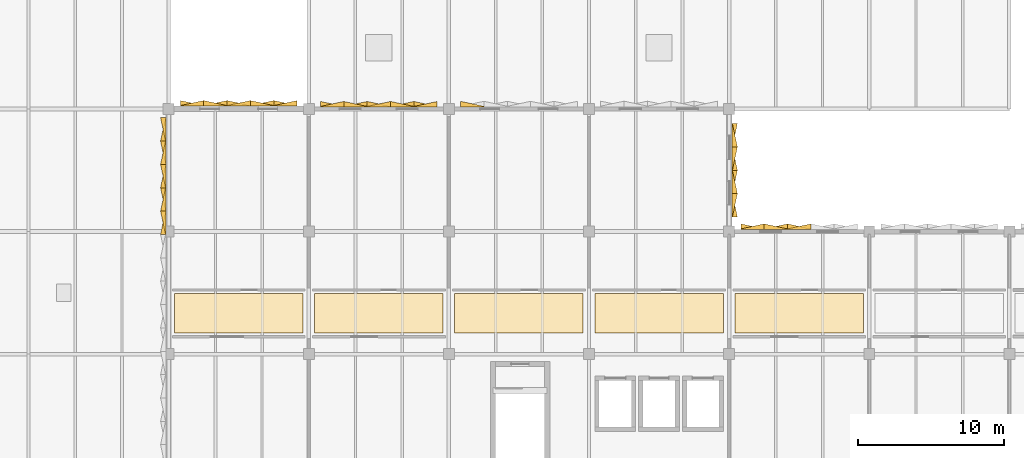
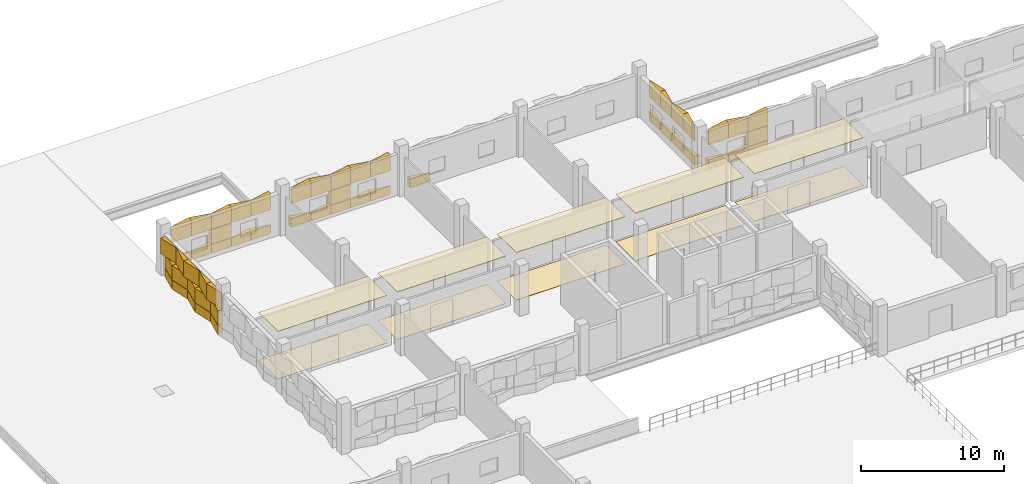
# One storey, part 74 of 86: 63 coverings.
"""IFC4 building model written with IfcOpenShell, lengths in metres."""

from ifc_helpers import new_model, si_unit, direction, frame, origin, place, context, subcontext, project, spatial, polyline, outline, extrude, material, layer, layer_set, type_object, element, save


model = new_model("IFC4")

# Units and contexts
model_context = context("Model", 3, precision=1e-05, world=origin(), true_north=direction((0.0, 1.0)))
body_context = subcontext(model_context, "Body", "Model", "MODEL_VIEW")
ifc_project = project(units=[si_unit("LENGTHUNIT", "METRE"), si_unit("AREAUNIT", "SQUARE_METRE"), si_unit("VOLUMEUNIT", "CUBIC_METRE"), si_unit("PLANEANGLEUNIT", "RADIAN"), si_unit("MASSUNIT", "GRAM", prefix="KILO")], contexts=[model_context])

# Site, building, storey
site_placement = place(None, origin())
site = spatial("IfcSite", under=ifc_project, at=site_placement, CompositionType="ELEMENT")
building_placement = place(site_placement, origin())
building = spatial("IfcBuilding", under=site, at=building_placement, Name="Oolite Switchyard Hospital", CompositionType="ELEMENT")
storey_placement = place(building_placement, frame((0.0, 0.0, 13.5)))
storey = spatial("IfcBuildingStorey", under=building, at=storey_placement, Name="L03", CompositionType="ELEMENT", Elevation=13.5)

# Coverings
ifc_material_1 = material(Name="Hygienic washable mineral-fibre acoustic ceiling")
ifc_layer_1 = layer(ifc_material_1, 0.0400390625)
ifc_layer_set_1 = layer_set([ifc_layer_1], Name="COV-CEIL-AC60")
covering_type_1 = type_object("IfcCoveringType", Name="COV-CEIL-AC60", PredefinedType="CEILING", material=ifc_layer_set_1)
covering_1_placement = place(storey_placement, frame((0.0, 0.0, 4.0400390625)))
element("IfcCovering", 1, at=covering_1_placement, inside=storey, type_object=covering_type_1, Name="L03 Rehabilitation and Penthouse Corridor L03 Ceiling 1", PredefinedType="CEILING", context=body_context, shape_type="SweptSolid", body=[
    extrude(outline(polyline([(19.60009765625, 102.25), (28.39990234375, 102.25), (28.39990234375, 104.949951171875), (19.60009765625, 104.949951171875), (19.60009765625, 102.25)])), origin(), (0.0, 0.0, 1.0), 0.0400390625),
])
covering_2_placement = place(storey_placement, frame((0.0, 0.0, 4.0400390625)))
element("IfcCovering", 2, at=covering_2_placement, inside=storey, type_object=covering_type_1, Name="L03 Rehabilitation and Penthouse Corridor L03 Ceiling 2", PredefinedType="CEILING", context=body_context, shape_type="SweptSolid", body=[
    extrude(outline(polyline([(29.199951171875, 102.25), (38.0, 102.25), (38.0, 104.949951171875), (29.199951171875, 104.949951171875), (29.199951171875, 102.25)])), origin(), (0.0, 0.0, 1.0), 0.0400390625),
])
covering_3_placement = place(storey_placement, frame((0.0, 0.0, 4.0400390625)))
element("IfcCovering", 3, at=covering_3_placement, inside=storey, type_object=covering_type_1, Name="L03 Rehabilitation and Penthouse Corridor L03 Ceiling 3", PredefinedType="CEILING", context=body_context, shape_type="SweptSolid", body=[
    extrude(outline(polyline([(38.800048828125, 102.25), (47.60009765625, 102.25), (47.60009765625, 104.949951171875), (38.800048828125, 104.949951171875), (38.800048828125, 102.25)])), origin(), (0.0, 0.0, 1.0), 0.0400390625),
])
covering_4_placement = place(storey_placement, frame((0.0, 0.0, 4.0400390625)))
element("IfcCovering", 4, at=covering_4_placement, inside=storey, type_object=covering_type_1, Name="L03 Rehabilitation and Penthouse Corridor L03 Ceiling 4", PredefinedType="CEILING", context=body_context, shape_type="SweptSolid", body=[
    extrude(outline(polyline([(48.39990234375, 102.25), (57.199951171875, 102.25), (57.199951171875, 104.949951171875), (48.39990234375, 104.949951171875), (48.39990234375, 102.25)])), origin(), (0.0, 0.0, 1.0), 0.0400390625),
])
covering_5_placement = place(storey_placement, frame((0.0, 0.0, 4.0400390625)))
element("IfcCovering", 5, at=covering_5_placement, inside=storey, type_object=covering_type_1, Name="L03 Rehabilitation and Penthouse Corridor L03 Ceiling 5", PredefinedType="CEILING", context=body_context, shape_type="SweptSolid", body=[
    extrude(outline(polyline([(58.0, 102.25), (66.800048828125, 102.25), (66.800048828125, 104.949951171875), (58.0, 104.949951171875), (58.0, 102.25)])), origin(), (0.0, 0.0, 1.0), 0.0400390625),
])
ifc_material_2 = material(Name="Precast oolitic limestone architectural concrete C40/50", Category="masonry")
covering_type_2 = type_object("IfcCoveringType", Name="COV-CHEV-WARM", PredefinedType="CLADDING", material=ifc_material_2)
covering_6_placement = place(storey_placement, frame((58.39990234375, 109.340087890625, 0.050048828125), z_axis=(0.0, 0.0, 1.0), x_axis=(1.0, 0.0, 0.0)))
element("IfcCovering", 6, at=covering_6_placement, inside=storey, type_object=covering_type_2, Name="L03 Chevron Precast Oolite Panel 188", PredefinedType="CLADDING", context=body_context, shape_type="SweptSolid", body=[
    extrude(outline(polyline([(0.0, 0.0), (1.60009765625, 0.0), (1.60009765625, 0.044921875), (0.0, 0.385009765625), (0.0, 0.0)])), origin(), (0.0, 0.0, 1.0), 0.760009765625),
])
covering_7_placement = place(storey_placement, frame((58.39990234375, 109.340087890625, 2.090087890625), z_axis=(0.0, 0.0, 1.0), x_axis=(1.0, 0.0, 0.0)))
element("IfcCovering", 7, at=covering_7_placement, inside=storey, type_object=covering_type_2, Name="L03 Chevron Precast Oolite Panel 189", PredefinedType="CLADDING", context=body_context, shape_type="SweptSolid", body=[
    extrude(outline(polyline([(0.0, 0.0), (1.60009765625, 0.0), (1.60009765625, 0.385009765625), (0.0, 0.044921875), (0.0, 0.0)])), origin(), (0.0, 0.0, 1.0), 1.349853515625),
])
covering_8_placement = place(storey_placement, frame((60.0, 109.340087890625, 0.050048828125), z_axis=(0.0, 0.0, 1.0), x_axis=(1.0, 0.0, 0.0)))
element("IfcCovering", 8, at=covering_8_placement, inside=storey, type_object=covering_type_2, Name="L03 Chevron Precast Oolite Panel 190", PredefinedType="CLADDING", context=body_context, shape_type="SweptSolid", body=[
    extrude(outline(polyline([(0.0, 0.0), (1.60009765625, 0.0), (1.60009765625, 0.385009765625), (0.0, 0.044921875), (0.0, 0.0)])), origin(), (0.0, 0.0, 1.0), 0.760009765625),
])
covering_9_placement = place(storey_placement, frame((60.0, 109.340087890625, 2.090087890625), z_axis=(0.0, 0.0, 1.0), x_axis=(1.0, 0.0, 0.0)))
element("IfcCovering", 9, at=covering_9_placement, inside=storey, type_object=covering_type_2, Name="L03 Chevron Precast Oolite Panel 191", PredefinedType="CLADDING", context=body_context, shape_type="SweptSolid", body=[
    extrude(outline(polyline([(0.0, 0.0), (1.60009765625, 0.0), (1.60009765625, 0.044921875), (0.0, 0.385009765625), (0.0, 0.0)])), origin(), (0.0, 0.0, 1.0), 1.349853515625),
])
covering_10_placement = place(storey_placement, frame((61.60009765625, 109.340087890625, 0.050048828125), z_axis=(0.0, 0.0, 1.0), x_axis=(1.0, 0.0, 0.0)))
element("IfcCovering", 10, at=covering_10_placement, inside=storey, type_object=covering_type_2, Name="L03 Chevron Precast Oolite Panel 192", PredefinedType="CLADDING", context=body_context, shape_type="SweptSolid", body=[
    extrude(outline(polyline([(0.0, 0.0), (1.599853515625, 0.0), (1.599853515625, 0.044921875), (0.0, 0.385009765625), (0.0, 0.0)])), origin(), (0.0, 0.0, 1.0), 0.760009765625),
])
covering_11_placement = place(storey_placement, frame((61.60009765625, 109.340087890625, 2.090087890625), z_axis=(0.0, 0.0, 1.0), x_axis=(1.0, 0.0, 0.0)))
element("IfcCovering", 11, at=covering_11_placement, inside=storey, type_object=covering_type_2, Name="L03 Chevron Precast Oolite Panel 193", PredefinedType="CLADDING", context=body_context, shape_type="SweptSolid", body=[
    extrude(outline(polyline([(0.0, 0.0), (1.599853515625, 0.0), (1.599853515625, 0.385009765625), (0.0, 0.044921875), (0.0, 0.0)])), origin(), (0.0, 0.0, 1.0), 1.349853515625),
])
covering_12_placement = place(storey_placement, frame((61.60009765625, 109.340087890625, 0.830078125), z_axis=(0.0, 0.0, 1.0), x_axis=(1.0, 0.0, 0.0)))
element("IfcCovering", 12, at=covering_12_placement, inside=storey, type_object=covering_type_2, Name="L03 Chevron Precast Oolite Panel 194", PredefinedType="CLADDING", context=body_context, shape_type="SweptSolid", body=[
    extrude(outline(polyline([(0.0, 0.0), (1.599853515625, 0.0), (1.599853515625, 0.044921875), (0.0, 0.385009765625), (0.0, 0.0)])), origin(), (0.0, 0.0, 1.0), 1.239990234375),
])
covering_13_placement = place(storey_placement, frame((20.0, 117.7900390625, 0.050048828125), z_axis=(0.0, 0.0, 1.0), x_axis=(1.0, 0.0, 0.0)))
element("IfcCovering", 13, at=covering_13_placement, inside=storey, type_object=covering_type_2, Name="L03 Chevron Precast Oolite Panel 243", PredefinedType="CLADDING", context=body_context, shape_type="SweptSolid", body=[
    extrude(outline(polyline([(0.0, 0.0), (1.60009765625, 0.0), (1.60009765625, 0.044921875), (0.0, 0.385009765625), (0.0, 0.0)])), origin(), (0.0, 0.0, 1.0), 0.760009765625),
])
covering_14_placement = place(storey_placement, frame((20.0, 117.7900390625, 2.090087890625), z_axis=(0.0, 0.0, 1.0), x_axis=(1.0, 0.0, 0.0)))
element("IfcCovering", 14, at=covering_14_placement, inside=storey, type_object=covering_type_2, Name="L03 Chevron Precast Oolite Panel 244", PredefinedType="CLADDING", context=body_context, shape_type="SweptSolid", body=[
    extrude(outline(polyline([(0.0, 0.0), (1.60009765625, 0.0), (1.60009765625, 0.385009765625), (0.0, 0.044921875), (0.0, 0.0)])), origin(), (0.0, 0.0, 1.0), 1.349853515625),
])
covering_15_placement = place(storey_placement, frame((21.60009765625, 117.7900390625, 0.050048828125), z_axis=(0.0, 0.0, 1.0), x_axis=(1.0, 0.0, 0.0)))
element("IfcCovering", 15, at=covering_15_placement, inside=storey, type_object=covering_type_2, Name="L03 Chevron Precast Oolite Panel 245", PredefinedType="CLADDING", context=body_context, shape_type="SweptSolid", body=[
    extrude(outline(polyline([(0.0, 0.0), (1.599853515625, 0.0), (1.599853515625, 0.385009765625), (0.0, 0.044921875), (0.0, 0.0)])), origin(), (0.0, 0.0, 1.0), 0.760009765625),
])
covering_16_placement = place(storey_placement, frame((21.60009765625, 117.7900390625, 2.090087890625), z_axis=(0.0, 0.0, 1.0), x_axis=(1.0, 0.0, 0.0)))
element("IfcCovering", 16, at=covering_16_placement, inside=storey, type_object=covering_type_2, Name="L03 Chevron Precast Oolite Panel 246", PredefinedType="CLADDING", context=body_context, shape_type="SweptSolid", body=[
    extrude(outline(polyline([(0.0, 0.0), (1.599853515625, 0.0), (1.599853515625, 0.044921875), (0.0, 0.385009765625), (0.0, 0.0)])), origin(), (0.0, 0.0, 1.0), 1.349853515625),
])
covering_17_placement = place(storey_placement, frame((23.199951171875, 117.7900390625, 0.050048828125), z_axis=(0.0, 0.0, 1.0), x_axis=(1.0, 0.0, 0.0)))
element("IfcCovering", 17, at=covering_17_placement, inside=storey, type_object=covering_type_2, Name="L03 Chevron Precast Oolite Panel 247", PredefinedType="CLADDING", context=body_context, shape_type="SweptSolid", body=[
    extrude(outline(polyline([(0.0, 0.0), (1.60009765625, 0.0), (1.60009765625, 0.044921875), (0.0, 0.385009765625), (0.0, 0.0)])), origin(), (0.0, 0.0, 1.0), 0.760009765625),
])
covering_18_placement = place(storey_placement, frame((23.199951171875, 117.7900390625, 2.090087890625), z_axis=(0.0, 0.0, 1.0), x_axis=(1.0, 0.0, 0.0)))
element("IfcCovering", 18, at=covering_18_placement, inside=storey, type_object=covering_type_2, Name="L03 Chevron Precast Oolite Panel 248", PredefinedType="CLADDING", context=body_context, shape_type="SweptSolid", body=[
    extrude(outline(polyline([(0.0, 0.0), (1.60009765625, 0.0), (1.60009765625, 0.385009765625), (0.0, 0.044921875), (0.0, 0.0)])), origin(), (0.0, 0.0, 1.0), 1.349853515625),
])
covering_19_placement = place(storey_placement, frame((23.199951171875, 117.7900390625, 0.830078125), z_axis=(0.0, 0.0, 1.0), x_axis=(1.0, 0.0, 0.0)))
element("IfcCovering", 19, at=covering_19_placement, inside=storey, type_object=covering_type_2, Name="L03 Chevron Precast Oolite Panel 249", PredefinedType="CLADDING", context=body_context, shape_type="SweptSolid", body=[
    extrude(outline(polyline([(0.0, 0.0), (1.60009765625, 0.0), (1.60009765625, 0.044921875), (0.0, 0.385009765625), (0.0, 0.0)])), origin(), (0.0, 0.0, 1.0), 1.239990234375),
])
covering_20_placement = place(storey_placement, frame((24.800048828125, 117.7900390625, 0.050048828125), z_axis=(0.0, 0.0, 1.0), x_axis=(1.0, 0.0, 0.0)))
element("IfcCovering", 20, at=covering_20_placement, inside=storey, type_object=covering_type_2, Name="L03 Chevron Precast Oolite Panel 250", PredefinedType="CLADDING", context=body_context, shape_type="SweptSolid", body=[
    extrude(outline(polyline([(0.0, 0.0), (1.599853515625, 0.0), (1.599853515625, 0.385009765625), (0.0, 0.044921875), (0.0, 0.0)])), origin(), (0.0, 0.0, 1.0), 0.760009765625),
])
covering_21_placement = place(storey_placement, frame((24.800048828125, 117.7900390625, 2.090087890625), z_axis=(0.0, 0.0, 1.0), x_axis=(1.0, 0.0, 0.0)))
element("IfcCovering", 21, at=covering_21_placement, inside=storey, type_object=covering_type_2, Name="L03 Chevron Precast Oolite Panel 251", PredefinedType="CLADDING", context=body_context, shape_type="SweptSolid", body=[
    extrude(outline(polyline([(0.0, 0.0), (1.599853515625, 0.0), (1.599853515625, 0.044921875), (0.0, 0.385009765625), (0.0, 0.0)])), origin(), (0.0, 0.0, 1.0), 1.349853515625),
])
covering_22_placement = place(storey_placement, frame((26.39990234375, 117.7900390625, 0.050048828125), z_axis=(0.0, 0.0, 1.0), x_axis=(1.0, 0.0, 0.0)))
element("IfcCovering", 22, at=covering_22_placement, inside=storey, type_object=covering_type_2, Name="L03 Chevron Precast Oolite Panel 252", PredefinedType="CLADDING", context=body_context, shape_type="SweptSolid", body=[
    extrude(outline(polyline([(0.0, 0.0), (1.60009765625, 0.0), (1.60009765625, 0.044921875), (0.0, 0.385009765625), (0.0, 0.0)])), origin(), (0.0, 0.0, 1.0), 0.760009765625),
])
covering_23_placement = place(storey_placement, frame((26.39990234375, 117.7900390625, 2.090087890625), z_axis=(0.0, 0.0, 1.0), x_axis=(1.0, 0.0, 0.0)))
element("IfcCovering", 23, at=covering_23_placement, inside=storey, type_object=covering_type_2, Name="L03 Chevron Precast Oolite Panel 253", PredefinedType="CLADDING", context=body_context, shape_type="SweptSolid", body=[
    extrude(outline(polyline([(0.0, 0.0), (1.60009765625, 0.0), (1.60009765625, 0.385009765625), (0.0, 0.044921875), (0.0, 0.0)])), origin(), (0.0, 0.0, 1.0), 1.349853515625),
])
covering_24_placement = place(storey_placement, frame((29.60009765625, 117.72998046875, 0.050048828125), z_axis=(0.0, 0.0, 1.0), x_axis=(1.0, 0.0, 0.0)))
element("IfcCovering", 24, at=covering_24_placement, inside=storey, type_object=covering_type_2, Name="L03 Chevron Precast Oolite Panel 254", PredefinedType="CLADDING", context=body_context, shape_type="SweptSolid", body=[
    extrude(outline(polyline([(0.0, 0.0), (1.599853515625, 0.0), (1.599853515625, 0.044921875), (0.0, 0.385009765625), (0.0, 0.0)])), origin(), (0.0, 0.0, 1.0), 0.760009765625),
])
covering_25_placement = place(storey_placement, frame((29.60009765625, 117.72998046875, 2.090087890625), z_axis=(0.0, 0.0, 1.0), x_axis=(1.0, 0.0, 0.0)))
element("IfcCovering", 25, at=covering_25_placement, inside=storey, type_object=covering_type_2, Name="L03 Chevron Precast Oolite Panel 255", PredefinedType="CLADDING", context=body_context, shape_type="SweptSolid", body=[
    extrude(outline(polyline([(0.0, 0.0), (1.599853515625, 0.0), (1.599853515625, 0.385009765625), (0.0, 0.044921875), (0.0, 0.0)])), origin(), (0.0, 0.0, 1.0), 1.349853515625),
])
covering_26_placement = place(storey_placement, frame((31.199951171875, 117.72998046875, 0.050048828125), z_axis=(0.0, 0.0, 1.0), x_axis=(1.0, 0.0, 0.0)))
element("IfcCovering", 26, at=covering_26_placement, inside=storey, type_object=covering_type_2, Name="L03 Chevron Precast Oolite Panel 256", PredefinedType="CLADDING", context=body_context, shape_type="SweptSolid", body=[
    extrude(outline(polyline([(0.0, 0.0), (1.60009765625, 0.0), (1.60009765625, 0.385009765625), (0.0, 0.044921875), (0.0, 0.0)])), origin(), (0.0, 0.0, 1.0), 0.760009765625),
])
covering_27_placement = place(storey_placement, frame((31.199951171875, 117.72998046875, 2.090087890625), z_axis=(0.0, 0.0, 1.0), x_axis=(1.0, 0.0, 0.0)))
element("IfcCovering", 27, at=covering_27_placement, inside=storey, type_object=covering_type_2, Name="L03 Chevron Precast Oolite Panel 257", PredefinedType="CLADDING", context=body_context, shape_type="SweptSolid", body=[
    extrude(outline(polyline([(0.0, 0.0), (1.60009765625, 0.0), (1.60009765625, 0.044921875), (0.0, 0.385009765625), (0.0, 0.0)])), origin(), (0.0, 0.0, 1.0), 1.349853515625),
])
covering_28_placement = place(storey_placement, frame((32.800048828125, 117.72998046875, 0.050048828125), z_axis=(0.0, 0.0, 1.0), x_axis=(1.0, 0.0, 0.0)))
element("IfcCovering", 28, at=covering_28_placement, inside=storey, type_object=covering_type_2, Name="L03 Chevron Precast Oolite Panel 258", PredefinedType="CLADDING", context=body_context, shape_type="SweptSolid", body=[
    extrude(outline(polyline([(0.0, 0.0), (1.599853515625, 0.0), (1.599853515625, 0.044921875), (0.0, 0.385009765625), (0.0, 0.0)])), origin(), (0.0, 0.0, 1.0), 0.760009765625),
])
covering_29_placement = place(storey_placement, frame((32.800048828125, 117.72998046875, 2.090087890625), z_axis=(0.0, 0.0, 1.0), x_axis=(1.0, 0.0, 0.0)))
element("IfcCovering", 29, at=covering_29_placement, inside=storey, type_object=covering_type_2, Name="L03 Chevron Precast Oolite Panel 259", PredefinedType="CLADDING", context=body_context, shape_type="SweptSolid", body=[
    extrude(outline(polyline([(0.0, 0.0), (1.599853515625, 0.0), (1.599853515625, 0.385009765625), (0.0, 0.044921875), (0.0, 0.0)])), origin(), (0.0, 0.0, 1.0), 1.349853515625),
])
covering_30_placement = place(storey_placement, frame((32.800048828125, 117.72998046875, 0.830078125), z_axis=(0.0, 0.0, 1.0), x_axis=(1.0, 0.0, 0.0)))
element("IfcCovering", 30, at=covering_30_placement, inside=storey, type_object=covering_type_2, Name="L03 Chevron Precast Oolite Panel 260", PredefinedType="CLADDING", context=body_context, shape_type="SweptSolid", body=[
    extrude(outline(polyline([(0.0, 0.0), (1.599853515625, 0.0), (1.599853515625, 0.044921875), (0.0, 0.385009765625), (0.0, 0.0)])), origin(), (0.0, 0.0, 1.0), 1.239990234375),
])
covering_31_placement = place(storey_placement, frame((34.39990234375, 117.72998046875, 0.050048828125), z_axis=(0.0, 0.0, 1.0), x_axis=(1.0, 0.0, 0.0)))
element("IfcCovering", 31, at=covering_31_placement, inside=storey, type_object=covering_type_2, Name="L03 Chevron Precast Oolite Panel 261", PredefinedType="CLADDING", context=body_context, shape_type="SweptSolid", body=[
    extrude(outline(polyline([(0.0, 0.0), (1.60009765625, 0.0), (1.60009765625, 0.385009765625), (0.0, 0.044921875), (0.0, 0.0)])), origin(), (0.0, 0.0, 1.0), 0.760009765625),
])
covering_32_placement = place(storey_placement, frame((34.39990234375, 117.72998046875, 2.090087890625), z_axis=(0.0, 0.0, 1.0), x_axis=(1.0, 0.0, 0.0)))
element("IfcCovering", 32, at=covering_32_placement, inside=storey, type_object=covering_type_2, Name="L03 Chevron Precast Oolite Panel 262", PredefinedType="CLADDING", context=body_context, shape_type="SweptSolid", body=[
    extrude(outline(polyline([(0.0, 0.0), (1.60009765625, 0.0), (1.60009765625, 0.044921875), (0.0, 0.385009765625), (0.0, 0.0)])), origin(), (0.0, 0.0, 1.0), 1.349853515625),
])
covering_33_placement = place(storey_placement, frame((36.0, 117.72998046875, 0.050048828125), z_axis=(0.0, 0.0, 1.0), x_axis=(1.0, 0.0, 0.0)))
element("IfcCovering", 33, at=covering_33_placement, inside=storey, type_object=covering_type_2, Name="L03 Chevron Precast Oolite Panel 263", PredefinedType="CLADDING", context=body_context, shape_type="SweptSolid", body=[
    extrude(outline(polyline([(0.0, 0.0), (1.60009765625, 0.0), (1.60009765625, 0.044921875), (0.0, 0.385009765625), (0.0, 0.0)])), origin(), (0.0, 0.0, 1.0), 0.760009765625),
])
covering_34_placement = place(storey_placement, frame((36.0, 117.72998046875, 2.090087890625), z_axis=(0.0, 0.0, 1.0), x_axis=(1.0, 0.0, 0.0)))
element("IfcCovering", 34, at=covering_34_placement, inside=storey, type_object=covering_type_2, Name="L03 Chevron Precast Oolite Panel 264", PredefinedType="CLADDING", context=body_context, shape_type="SweptSolid", body=[
    extrude(outline(polyline([(0.0, 0.0), (1.60009765625, 0.0), (1.60009765625, 0.385009765625), (0.0, 0.044921875), (0.0, 0.0)])), origin(), (0.0, 0.0, 1.0), 1.349853515625),
])
for number, where, z_axis, x_axis, name in (
    (35, (39.199951171875, 117.739990234375, 0.050048828125), (0.0, 0.0, 1.0), (1.0, 0.0, 0.0), "L03 Chevron Precast Oolite Panel 265"),
    (36, (19.030029296875, 109.0, 0.050048828125), (0.0, 0.0, 1.0), (0.0, 1.0, 0.0), "L03 Chevron Precast Oolite Panel 398"),
):
    element("IfcCovering", number, at=place(storey_placement, frame(where, z_axis=z_axis, x_axis=x_axis)), inside=storey, type_object=covering_type_2, Name=name, PredefinedType="CLADDING", context=body_context, shape_type="SweptSolid", body=[
        extrude(outline(polyline([(0.0, 0.0), (1.60009765625, 0.0), (1.60009765625, 0.044921875), (0.0, 0.385009765625), (0.0, 0.0)])), origin(), (0.0, 0.0, 1.0), 0.760009765625),
    ])
covering_35_placement = place(storey_placement, frame((19.030029296875, 109.0, 2.090087890625), z_axis=(0.0, 0.0, 1.0), x_axis=(0.0, 1.0, 0.0)))
element("IfcCovering", 37, at=covering_35_placement, inside=storey, type_object=covering_type_2, Name="L03 Chevron Precast Oolite Panel 399", PredefinedType="CLADDING", context=body_context, shape_type="SweptSolid", body=[
    extrude(outline(polyline([(0.0, 0.0), (1.60009765625, 0.0), (1.60009765625, 0.385009765625), (0.0, 0.044921875), (0.0, 0.0)])), origin(), (0.0, 0.0, 1.0), 1.349853515625),
])
covering_36_placement = place(storey_placement, frame((19.030029296875, 109.0, 0.830078125), z_axis=(0.0, 0.0, 1.0), x_axis=(0.0, 1.0, 0.0)))
element("IfcCovering", 38, at=covering_36_placement, inside=storey, type_object=covering_type_2, Name="L03 Chevron Precast Oolite Panel 400", PredefinedType="CLADDING", context=body_context, shape_type="SweptSolid", body=[
    extrude(outline(polyline([(0.0, 0.0), (1.60009765625, 0.0), (1.60009765625, 0.044921875), (0.0, 0.385009765625), (0.0, 0.0)])), origin(), (0.0, 0.0, 1.0), 1.239990234375),
])
covering_37_placement = place(storey_placement, frame((19.030029296875, 110.60009765625, 0.050048828125), z_axis=(0.0, 0.0, 1.0), x_axis=(0.0, 1.0, 0.0)))
element("IfcCovering", 39, at=covering_37_placement, inside=storey, type_object=covering_type_2, Name="L03 Chevron Precast Oolite Panel 401", PredefinedType="CLADDING", context=body_context, shape_type="SweptSolid", body=[
    extrude(outline(polyline([(0.0, 0.0), (1.599853515625, 0.0), (1.599853515625, 0.385009765625), (0.0, 0.044921875), (0.0, 0.0)])), origin(), (0.0, 0.0, 1.0), 0.760009765625),
])
covering_38_placement = place(storey_placement, frame((19.030029296875, 110.60009765625, 2.090087890625), z_axis=(0.0, 0.0, 1.0), x_axis=(0.0, 1.0, 0.0)))
element("IfcCovering", 40, at=covering_38_placement, inside=storey, type_object=covering_type_2, Name="L03 Chevron Precast Oolite Panel 402", PredefinedType="CLADDING", context=body_context, shape_type="SweptSolid", body=[
    extrude(outline(polyline([(0.0, 0.0), (1.599853515625, 0.0), (1.599853515625, 0.044921875), (0.0, 0.385009765625), (0.0, 0.0)])), origin(), (0.0, 0.0, 1.0), 1.349853515625),
])
covering_39_placement = place(storey_placement, frame((19.030029296875, 110.60009765625, 0.830078125), z_axis=(0.0, 0.0, 1.0), x_axis=(0.0, 1.0, 0.0)))
element("IfcCovering", 41, at=covering_39_placement, inside=storey, type_object=covering_type_2, Name="L03 Chevron Precast Oolite Panel 403", PredefinedType="CLADDING", context=body_context, shape_type="SweptSolid", body=[
    extrude(outline(polyline([(0.0, 0.0), (1.599853515625, 0.0), (1.599853515625, 0.385009765625), (0.0, 0.044921875), (0.0, 0.0)])), origin(), (0.0, 0.0, 1.0), 1.239990234375),
])
covering_40_placement = place(storey_placement, frame((19.030029296875, 112.199951171875, 0.050048828125), z_axis=(0.0, 0.0, 1.0), x_axis=(0.0, 1.0, 0.0)))
element("IfcCovering", 42, at=covering_40_placement, inside=storey, type_object=covering_type_2, Name="L03 Chevron Precast Oolite Panel 404", PredefinedType="CLADDING", context=body_context, shape_type="SweptSolid", body=[
    extrude(outline(polyline([(0.0, 0.0), (1.60009765625, 0.0), (1.60009765625, 0.044921875), (0.0, 0.385009765625), (0.0, 0.0)])), origin(), (0.0, 0.0, 1.0), 0.760009765625),
])
covering_41_placement = place(storey_placement, frame((19.030029296875, 112.199951171875, 2.090087890625), z_axis=(0.0, 0.0, 1.0), x_axis=(0.0, 1.0, 0.0)))
element("IfcCovering", 43, at=covering_41_placement, inside=storey, type_object=covering_type_2, Name="L03 Chevron Precast Oolite Panel 405", PredefinedType="CLADDING", context=body_context, shape_type="SweptSolid", body=[
    extrude(outline(polyline([(0.0, 0.0), (1.60009765625, 0.0), (1.60009765625, 0.385009765625), (0.0, 0.044921875), (0.0, 0.0)])), origin(), (0.0, 0.0, 1.0), 1.349853515625),
])
covering_42_placement = place(storey_placement, frame((19.030029296875, 112.199951171875, 0.830078125), z_axis=(0.0, 0.0, 1.0), x_axis=(0.0, 1.0, 0.0)))
element("IfcCovering", 44, at=covering_42_placement, inside=storey, type_object=covering_type_2, Name="L03 Chevron Precast Oolite Panel 406", PredefinedType="CLADDING", context=body_context, shape_type="SweptSolid", body=[
    extrude(outline(polyline([(0.0, 0.0), (1.60009765625, 0.0), (1.60009765625, 0.044921875), (0.0, 0.385009765625), (0.0, 0.0)])), origin(), (0.0, 0.0, 1.0), 1.239990234375),
])
covering_43_placement = place(storey_placement, frame((19.030029296875, 113.800048828125, 0.050048828125), z_axis=(0.0, 0.0, 1.0), x_axis=(0.0, 1.0, 0.0)))
element("IfcCovering", 45, at=covering_43_placement, inside=storey, type_object=covering_type_2, Name="L03 Chevron Precast Oolite Panel 407", PredefinedType="CLADDING", context=body_context, shape_type="SweptSolid", body=[
    extrude(outline(polyline([(0.0, 0.0), (1.599853515625, 0.0), (1.599853515625, 0.385009765625), (0.0, 0.044921875), (0.0, 0.0)])), origin(), (0.0, 0.0, 1.0), 0.760009765625),
])
covering_44_placement = place(storey_placement, frame((19.030029296875, 113.800048828125, 2.090087890625), z_axis=(0.0, 0.0, 1.0), x_axis=(0.0, 1.0, 0.0)))
element("IfcCovering", 46, at=covering_44_placement, inside=storey, type_object=covering_type_2, Name="L03 Chevron Precast Oolite Panel 408", PredefinedType="CLADDING", context=body_context, shape_type="SweptSolid", body=[
    extrude(outline(polyline([(0.0, 0.0), (1.599853515625, 0.0), (1.599853515625, 0.044921875), (0.0, 0.385009765625), (0.0, 0.0)])), origin(), (0.0, 0.0, 1.0), 1.349853515625),
])
covering_45_placement = place(storey_placement, frame((19.030029296875, 113.800048828125, 0.830078125), z_axis=(0.0, 0.0, 1.0), x_axis=(0.0, 1.0, 0.0)))
element("IfcCovering", 47, at=covering_45_placement, inside=storey, type_object=covering_type_2, Name="L03 Chevron Precast Oolite Panel 409", PredefinedType="CLADDING", context=body_context, shape_type="SweptSolid", body=[
    extrude(outline(polyline([(0.0, 0.0), (1.599853515625, 0.0), (1.599853515625, 0.385009765625), (0.0, 0.044921875), (0.0, 0.0)])), origin(), (0.0, 0.0, 1.0), 1.239990234375),
])
covering_46_placement = place(storey_placement, frame((19.030029296875, 115.39990234375, 0.050048828125), z_axis=(0.0, 0.0, 1.0), x_axis=(0.0, 1.0, 0.0)))
element("IfcCovering", 48, at=covering_46_placement, inside=storey, type_object=covering_type_2, Name="L03 Chevron Precast Oolite Panel 410", PredefinedType="CLADDING", context=body_context, shape_type="SweptSolid", body=[
    extrude(outline(polyline([(0.0, 0.0), (1.60009765625, 0.0), (1.60009765625, 0.044921875), (0.0, 0.385009765625), (0.0, 0.0)])), origin(), (0.0, 0.0, 1.0), 0.760009765625),
])
covering_47_placement = place(storey_placement, frame((19.030029296875, 115.39990234375, 2.090087890625), z_axis=(0.0, 0.0, 1.0), x_axis=(0.0, 1.0, 0.0)))
element("IfcCovering", 49, at=covering_47_placement, inside=storey, type_object=covering_type_2, Name="L03 Chevron Precast Oolite Panel 411", PredefinedType="CLADDING", context=body_context, shape_type="SweptSolid", body=[
    extrude(outline(polyline([(0.0, 0.0), (1.60009765625, 0.0), (1.60009765625, 0.385009765625), (0.0, 0.044921875), (0.0, 0.0)])), origin(), (0.0, 0.0, 1.0), 1.349853515625),
])
covering_48_placement = place(storey_placement, frame((19.030029296875, 115.39990234375, 0.830078125), z_axis=(0.0, 0.0, 1.0), x_axis=(0.0, 1.0, 0.0)))
element("IfcCovering", 50, at=covering_48_placement, inside=storey, type_object=covering_type_2, Name="L03 Chevron Precast Oolite Panel 412", PredefinedType="CLADDING", context=body_context, shape_type="SweptSolid", body=[
    extrude(outline(polyline([(0.0, 0.0), (1.60009765625, 0.0), (1.60009765625, 0.044921875), (0.0, 0.385009765625), (0.0, 0.0)])), origin(), (0.0, 0.0, 1.0), 1.239990234375),
])
covering_49_placement = place(storey_placement, frame((57.780029296875, 116.60009765625, 0.050048828125), z_axis=(0.0, 0.0, 1.0), x_axis=(0.0, -1.0, 0.0)))
element("IfcCovering", 51, at=covering_49_placement, inside=storey, type_object=covering_type_2, Name="L03 Chevron Precast Oolite Panel 421", PredefinedType="CLADDING", context=body_context, shape_type="SweptSolid", body=[
    extrude(outline(polyline([(0.0, 0.0), (1.60009765625, 0.0), (1.60009765625, 0.044921875), (0.0, 0.385009765625), (0.0, 0.0)])), origin(), (0.0, 0.0, 1.0), 0.760009765625),
])
covering_50_placement = place(storey_placement, frame((57.780029296875, 116.60009765625, 2.090087890625), z_axis=(0.0, 0.0, 1.0), x_axis=(0.0, -1.0, 0.0)))
element("IfcCovering", 52, at=covering_50_placement, inside=storey, type_object=covering_type_2, Name="L03 Chevron Precast Oolite Panel 422", PredefinedType="CLADDING", context=body_context, shape_type="SweptSolid", body=[
    extrude(outline(polyline([(0.0, 0.0), (1.60009765625, 0.0), (1.60009765625, 0.385009765625), (0.0, 0.044921875), (0.0, 0.0)])), origin(), (0.0, 0.0, 1.0), 1.349853515625),
])
covering_51_placement = place(storey_placement, frame((57.780029296875, 115.0, 0.050048828125), z_axis=(0.0, 0.0, 1.0), x_axis=(0.0, -1.0, 0.0)))
element("IfcCovering", 53, at=covering_51_placement, inside=storey, type_object=covering_type_2, Name="L03 Chevron Precast Oolite Panel 423", PredefinedType="CLADDING", context=body_context, shape_type="SweptSolid", body=[
    extrude(outline(polyline([(0.0, 0.0), (1.60009765625, 0.0), (1.60009765625, 0.385009765625), (0.0, 0.044921875), (0.0, 0.0)])), origin(), (0.0, 0.0, 1.0), 0.760009765625),
])
covering_52_placement = place(storey_placement, frame((57.780029296875, 115.0, 2.090087890625), z_axis=(0.0, 0.0, 1.0), x_axis=(0.0, -1.0, 0.0)))
element("IfcCovering", 54, at=covering_52_placement, inside=storey, type_object=covering_type_2, Name="L03 Chevron Precast Oolite Panel 424", PredefinedType="CLADDING", context=body_context, shape_type="SweptSolid", body=[
    extrude(outline(polyline([(0.0, 0.0), (1.60009765625, 0.0), (1.60009765625, 0.044921875), (0.0, 0.385009765625), (0.0, 0.0)])), origin(), (0.0, 0.0, 1.0), 1.349853515625),
])
covering_53_placement = place(storey_placement, frame((57.780029296875, 113.39990234375, 0.050048828125), z_axis=(0.0, 0.0, 1.0), x_axis=(0.0, -1.0, 0.0)))
element("IfcCovering", 55, at=covering_53_placement, inside=storey, type_object=covering_type_2, Name="L03 Chevron Precast Oolite Panel 425", PredefinedType="CLADDING", context=body_context, shape_type="SweptSolid", body=[
    extrude(outline(polyline([(0.0, 0.0), (1.599853515625, 0.0), (1.599853515625, 0.044921875), (0.0, 0.385009765625), (0.0, 0.0)])), origin(), (0.0, 0.0, 1.0), 0.760009765625),
])
covering_54_placement = place(storey_placement, frame((57.780029296875, 113.39990234375, 2.090087890625), z_axis=(0.0, 0.0, 1.0), x_axis=(0.0, -1.0, 0.0)))
element("IfcCovering", 56, at=covering_54_placement, inside=storey, type_object=covering_type_2, Name="L03 Chevron Precast Oolite Panel 426", PredefinedType="CLADDING", context=body_context, shape_type="SweptSolid", body=[
    extrude(outline(polyline([(0.0, 0.0), (1.599853515625, 0.0), (1.599853515625, 0.385009765625), (0.0, 0.044921875), (0.0, 0.0)])), origin(), (0.0, 0.0, 1.0), 1.349853515625),
])
covering_55_placement = place(storey_placement, frame((57.780029296875, 111.800048828125, 0.050048828125), z_axis=(0.0, 0.0, 1.0), x_axis=(0.0, -1.0, 0.0)))
element("IfcCovering", 57, at=covering_55_placement, inside=storey, type_object=covering_type_2, Name="L03 Chevron Precast Oolite Panel 427", PredefinedType="CLADDING", context=body_context, shape_type="SweptSolid", body=[
    extrude(outline(polyline([(0.0, 0.0), (1.60009765625, 0.0), (1.60009765625, 0.385009765625), (0.0, 0.044921875), (0.0, 0.0)])), origin(), (0.0, 0.0, 1.0), 0.760009765625),
])
covering_56_placement = place(storey_placement, frame((57.780029296875, 111.800048828125, 2.090087890625), z_axis=(0.0, 0.0, 1.0), x_axis=(0.0, -1.0, 0.0)))
element("IfcCovering", 58, at=covering_56_placement, inside=storey, type_object=covering_type_2, Name="L03 Chevron Precast Oolite Panel 428", PredefinedType="CLADDING", context=body_context, shape_type="SweptSolid", body=[
    extrude(outline(polyline([(0.0, 0.0), (1.60009765625, 0.0), (1.60009765625, 0.044921875), (0.0, 0.385009765625), (0.0, 0.0)])), origin(), (0.0, 0.0, 1.0), 1.349853515625),
])
ifc_material_3 = material(Name="Epoxy terrazzo seamless clinical flooring")
ifc_layer_2 = layer(ifc_material_3, 0.02001953125)
ifc_layer_set_2 = layer_set([ifc_layer_2], Name="COV-FLR-TER20")
covering_type_3 = type_object("IfcCoveringType", Name="COV-FLR-TER20", PredefinedType="FLOORING", material=ifc_layer_set_2)
covering_57_placement = place(storey_placement, origin())
element("IfcCovering", 59, at=covering_57_placement, inside=storey, type_object=covering_type_3, Name="L03 Rehabilitation and Penthouse Corridor L03 Flooring 1", PredefinedType="FLOORING", context=body_context, shape_type="SweptSolid", body=[
    extrude(outline(polyline([(19.60009765625, 102.25), (28.39990234375, 102.25), (28.39990234375, 104.949951171875), (19.60009765625, 104.949951171875), (19.60009765625, 102.25)])), origin(), (0.0, 0.0, 1.0), 0.02001953125),
])
covering_58_placement = place(storey_placement, origin())
element("IfcCovering", 60, at=covering_58_placement, inside=storey, type_object=covering_type_3, Name="L03 Rehabilitation and Penthouse Corridor L03 Flooring 2", PredefinedType="FLOORING", context=body_context, shape_type="SweptSolid", body=[
    extrude(outline(polyline([(29.199951171875, 102.25), (38.0, 102.25), (38.0, 104.949951171875), (29.199951171875, 104.949951171875), (29.199951171875, 102.25)])), origin(), (0.0, 0.0, 1.0), 0.02001953125),
])
covering_59_placement = place(storey_placement, origin())
element("IfcCovering", 61, at=covering_59_placement, inside=storey, type_object=covering_type_3, Name="L03 Rehabilitation and Penthouse Corridor L03 Flooring 3", PredefinedType="FLOORING", context=body_context, shape_type="SweptSolid", body=[
    extrude(outline(polyline([(38.800048828125, 102.25), (47.60009765625, 102.25), (47.60009765625, 104.949951171875), (38.800048828125, 104.949951171875), (38.800048828125, 102.25)])), origin(), (0.0, 0.0, 1.0), 0.02001953125),
])
covering_60_placement = place(storey_placement, origin())
element("IfcCovering", 62, at=covering_60_placement, inside=storey, type_object=covering_type_3, Name="L03 Rehabilitation and Penthouse Corridor L03 Flooring 4", PredefinedType="FLOORING", context=body_context, shape_type="SweptSolid", body=[
    extrude(outline(polyline([(48.39990234375, 102.25), (57.199951171875, 102.25), (57.199951171875, 104.949951171875), (48.39990234375, 104.949951171875), (48.39990234375, 102.25)])), origin(), (0.0, 0.0, 1.0), 0.02001953125),
])
covering_61_placement = place(storey_placement, origin())
element("IfcCovering", 63, at=covering_61_placement, inside=storey, type_object=covering_type_3, Name="L03 Rehabilitation and Penthouse Corridor L03 Flooring 5", PredefinedType="FLOORING", context=body_context, shape_type="SweptSolid", body=[
    extrude(outline(polyline([(58.0, 102.25), (66.800048828125, 102.25), (66.800048828125, 104.949951171875), (58.0, 104.949951171875), (58.0, 102.25)])), origin(), (0.0, 0.0, 1.0), 0.02001953125),
])

save(model, "model.ifc")
